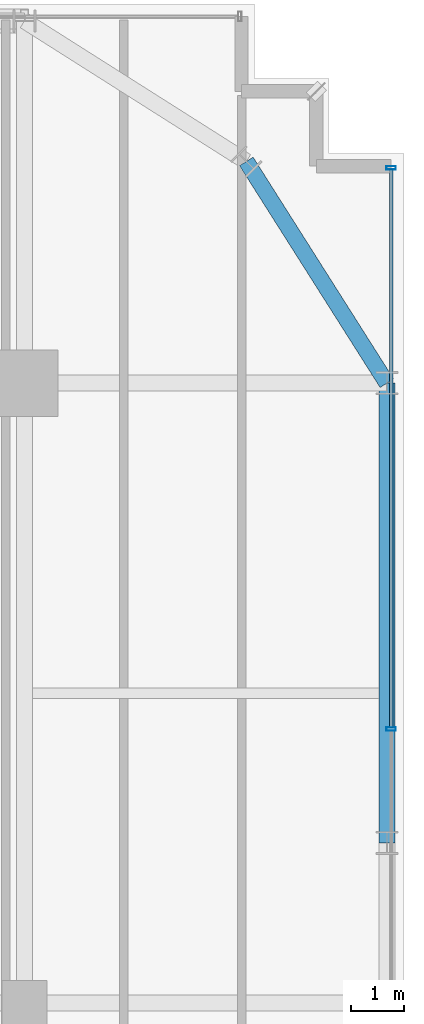
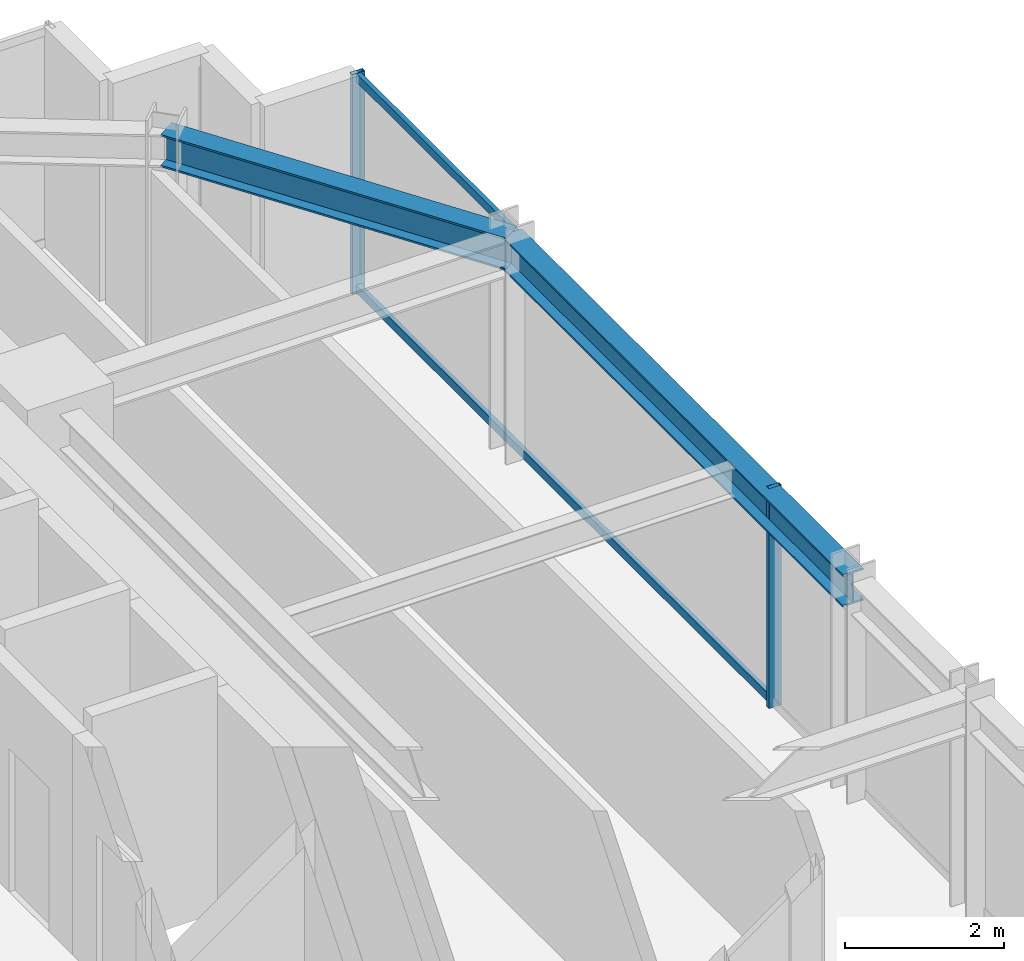
# One storey, part 24 of 40: 4 members, 2 beams, 1 element without a shape of its own.
"""IFC4 building model written with IfcOpenShell, lengths in metres."""

from ifc_helpers import new_model, si_unit, direction, frame, origin, origin_2d, place, context, subcontext, project, spatial, hollow_rectangle, i_section, extrude, source, transform, mapped, material, material_profile, profile_set, type_object, element, aggregate, save


model = new_model("IFC4")

# Units and contexts
model_context = context("Model", 3, precision=1e-05, world=origin(), true_north=direction((0.0, 1.0)))
body_context = subcontext(model_context, "Body", "Model", "MODEL_VIEW")
ifc_project = project(units=[si_unit("LENGTHUNIT", "METRE"), si_unit("AREAUNIT", "SQUARE_METRE"), si_unit("VOLUMEUNIT", "CUBIC_METRE"), si_unit("PLANEANGLEUNIT", "RADIAN"), si_unit("MASSUNIT", "GRAM", prefix="KILO")], contexts=[model_context])

# Site, building, storey
site_placement = place(None, origin())
site = spatial("IfcSite", under=ifc_project, at=site_placement, CompositionType="ELEMENT")
building_placement = place(site_placement, origin())
building = spatial("IfcBuilding", under=site, at=building_placement, Name="Nahalor Promenade Grand Hotel", CompositionType="ELEMENT")
storey_placement = place(building_placement, frame((0.0, 0.0, 91.949951171875)))
storey = spatial("IfcBuildingStorey", under=building, at=storey_placement, Name="L22", CompositionType="ELEMENT", Elevation=91.949951171875)

# Beams
ifc_material_1 = material(Name="Steel S355JR", Category="steel")
ifc_material_profile_1 = material_profile(ifc_material_1, i_section(OverallWidth=0.3, OverallDepth=0.5, WebThickness=0.0145, FlangeThickness=0.028, at=origin_2d()), Name="HEB 500")
ifc_profile_set_1 = profile_set([ifc_material_profile_1], Name="Steel S355JR")
beam_type = type_object("IfcBeamType", Name="Beam-Spandrel-HEB500", PredefinedType="SPANDREL", material=ifc_profile_set_1)
shared_shape_1 = source(origin(), body_context, "Body", "SweptSolid", [
    extrude(i_section(OverallWidth=0.3, OverallDepth=0.5, WebThickness=0.0145, FlangeThickness=0.028, at=origin_2d()), origin(), (0.0, 0.0, 1.0), 8.60009765625),
])
beam_1_placement = place(storey_placement, frame((23.780029296875, 8.39990234375, 3.130126953125), z_axis=(0.0, 1.0, 0.0), x_axis=(-1.0, 0.0, 0.0)))
element("IfcBeam", 1, at=beam_1_placement, inside=storey, type_object=beam_type, Name="BM-L22-SP-E-4", PredefinedType="SPANDREL", context=body_context, shape_type="MappedRepresentation", body=[
    mapped(shared_shape_1, transform((0.0, 0.0, 0.0), scale=1.0)),
])
shared_shape_2 = source(origin(), body_context, "Body", "SweptSolid", [
    extrude(i_section(OverallWidth=0.3, OverallDepth=0.5, WebThickness=0.0145, FlangeThickness=0.028, at=origin_2d()), origin(), (0.0, 0.0, 1.0), 4.9130859375),
])
beam_2_placement = place(storey_placement, frame((21.14990234375, 21.14990234375, 3.130126953125), z_axis=(0.535321591403, -0.844648325505, 0.0), x_axis=(0.844648325505, 0.535321591403, 0.0)))
element("IfcBeam", 2, at=beam_2_placement, inside=storey, type_object=beam_type, Name="BM-L22-SPC-NE-2", PredefinedType="SPANDREL", context=body_context, shape_type="MappedRepresentation", body=[
    mapped(shared_shape_2, transform((0.0, 0.0, 0.0), scale=1.0)),
])

# Curtain wall, members
ifc_material_2 = material(Name="Anodised Bronze Aluminium EN AW-6063 T6", Category="aluminium")
curtain_wall_type = type_object("IfcCurtainWallType", Name="CW2 Typical Hotel Flush Bronze Unitised Curtain Wall", PredefinedType="USERDEFINED", material=ifc_material_2)
curtain_wall_placement = place(storey_placement, origin())
curtain_wall = element("IfcCurtainWall", 3, at=curtain_wall_placement, inside=storey, type_object=curtain_wall_type, Name="L22 Curtain Wall CW-L22-E-1", ObjectType="UNITISED_CURTAIN_WALL", PredefinedType="USERDEFINED")
ifc_material_profile_2 = material_profile(ifc_material_2, hollow_rectangle(XDim=0.065, YDim=0.13, WallThickness=0.004, at=origin_2d()), Name="CWT 65x130x4")
ifc_profile_set_2 = profile_set([ifc_material_profile_2], Name="Anodised Bronze Aluminium EN AW-6063 T6")
member_type_1 = type_object("IfcMemberType", Name="CWT2 Typical Bronze Transom 65x130", PredefinedType="USERDEFINED", material=ifc_profile_set_2)
shared_shape_3 = source(origin(), body_context, "Body", "SweptSolid", [
    extrude(hollow_rectangle(XDim=0.065, YDim=0.13, WallThickness=0.004, at=origin_2d()), origin(), (0.0, 0.0, 1.0), 10.4326171875),
])
member_1_placement = place(storey_placement, frame((23.860107421875, 10.5625, 0.06494140625), z_axis=(0.0, 1.0, 0.0), x_axis=(-1.0, 0.0, 0.0)))
member_1 = element("IfcMember", 4, at=member_1_placement, type_object=member_type_1, Name="CW-L22-E-1 Transom 3-0", ObjectType="TRANSOM", PredefinedType="USERDEFINED", context=body_context, shape_type="MappedRepresentation", body=[
    mapped(shared_shape_3, transform((0.0, 0.0, 0.0), scale=1.0)),
])
member_2_placement = place(storey_placement, frame((23.860107421875, 10.5625, 3.31494140625), z_axis=(0.0, 1.0, 0.0), x_axis=(-1.0, 0.0, 0.0)))
member_2 = element("IfcMember", 5, at=member_2_placement, type_object=member_type_1, Name="CW-L22-E-1 Transom 3-1", ObjectType="TRANSOM", PredefinedType="USERDEFINED", context=body_context, shape_type="MappedRepresentation", body=[
    mapped(shared_shape_3, transform((0.0, 0.0, 0.0), scale=1.0)),
])
ifc_material_profile_3 = material_profile(ifc_material_2, hollow_rectangle(XDim=0.065, YDim=0.18, WallThickness=0.004, at=origin_2d()), Name="CWM 65x180x4")
ifc_profile_set_3 = profile_set([ifc_material_profile_3], Name="Anodised Bronze Aluminium EN AW-6063 T6")
member_type_2 = type_object("IfcMemberType", Name="CWM2 Typical Bronze Mullion 65x180", PredefinedType="MULLION", material=ifc_profile_set_3)
shared_shape_4 = source(origin(), body_context, "Body", "SweptSolid", [
    extrude(hollow_rectangle(XDim=0.065, YDim=0.18, WallThickness=0.004, at=origin_2d()), origin(), (0.0, 0.0, 1.0), 3.380126953125),
])
member_3_placement = place(storey_placement, frame((23.860107421875, 10.530029296875, 0.0), z_axis=(0.0, 0.0, 1.0), x_axis=(0.0, 1.0, 0.0)))
member_3 = element("IfcMember", 6, at=member_3_placement, type_object=member_type_2, Name="CW-L22-E-1 Mullion 3", PredefinedType="MULLION", context=body_context, shape_type="MappedRepresentation", body=[
    mapped(shared_shape_4, transform((0.0, 0.0, 0.0), scale=1.0)),
])
member_4_placement = place(storey_placement, frame((23.860107421875, 21.027587890625, 0.0), z_axis=(0.0, 0.0, 1.0), x_axis=(0.0, 1.0, 0.0)))
member_4 = element("IfcMember", 7, at=member_4_placement, type_object=member_type_2, Name="CW-L22-E-1 Mullion 4", PredefinedType="MULLION", context=body_context, shape_type="MappedRepresentation", body=[
    mapped(shared_shape_4, transform((0.0, 0.0, 0.0), scale=1.0)),
])
aggregate(curtain_wall, [member_3, member_4, member_1, member_2])

save(model, "model.ifc")
